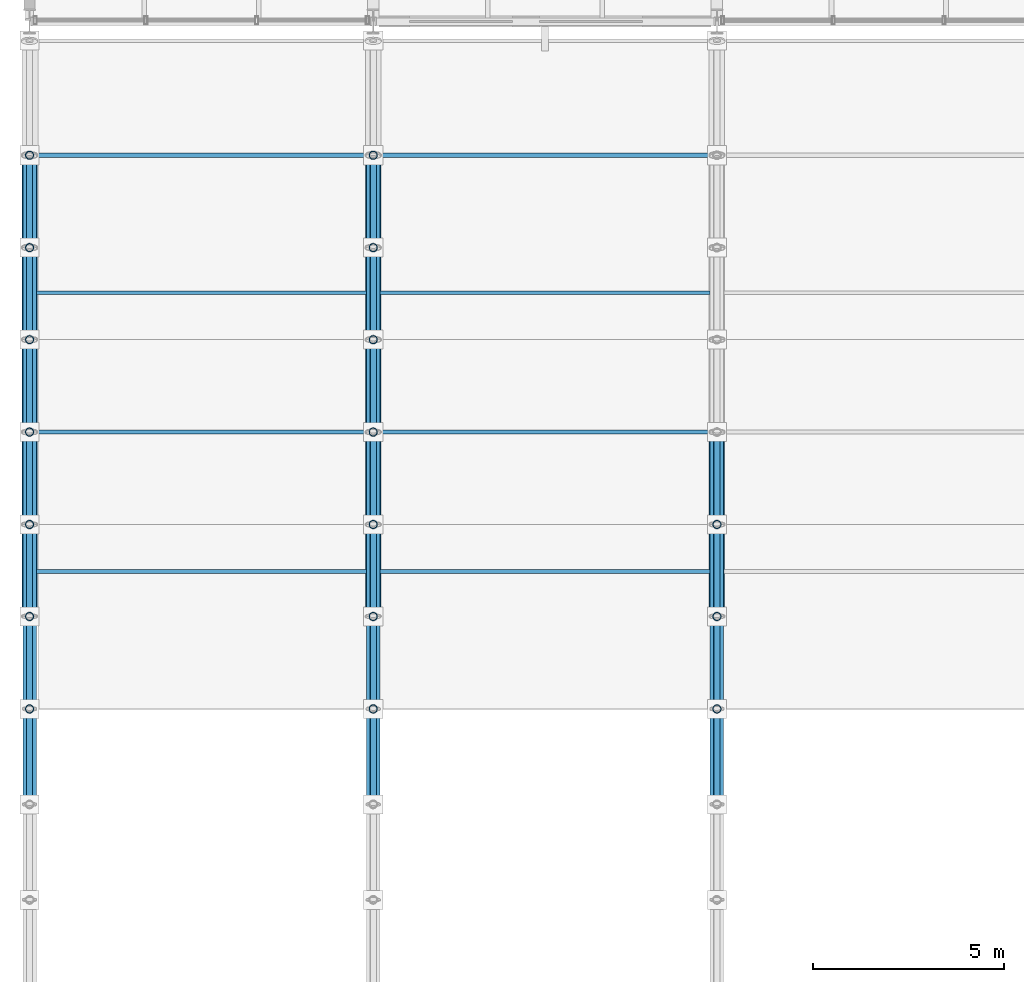
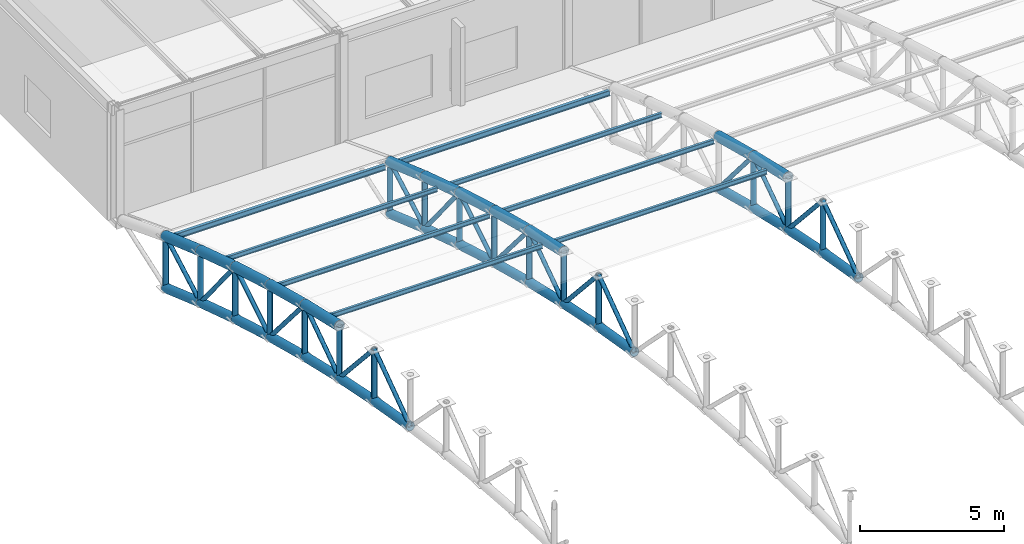
# One storey, part 34 of 195: 73 members.
"""IFC4 building model written with IfcOpenShell, lengths in metres."""

from ifc_helpers import new_model, si_unit, direction, frame, origin, origin_2d, place, context, subcontext, project, spatial, hollow_circle, i_section, extrude, material, material_profile, profile_set, type_object, element, save


model = new_model("IFC4")

# Units and contexts
model_context = context("Model", 3, precision=1e-05, world=origin(), true_north=direction((0.0, 1.0)))
body_context = subcontext(model_context, "Body", "Model", "MODEL_VIEW")
ifc_project = project(units=[si_unit("LENGTHUNIT", "METRE"), si_unit("AREAUNIT", "SQUARE_METRE"), si_unit("VOLUMEUNIT", "CUBIC_METRE"), si_unit("PLANEANGLEUNIT", "RADIAN"), si_unit("MASSUNIT", "GRAM", prefix="KILO")], contexts=[model_context])

# Site, building, storey
site_placement = place(None, origin())
site = spatial("IfcSite", under=ifc_project, at=site_placement, CompositionType="ELEMENT")
building_placement = place(site_placement, origin())
building = spatial("IfcBuilding", under=site, at=building_placement, Name="Marlcrest Central Station", CompositionType="ELEMENT")
storey_placement = place(building_placement, frame((0.0, 0.0, 9.800048828125)))
storey = spatial("IfcBuildingStorey", under=building, at=storey_placement, Name="L02", CompositionType="ELEMENT", Elevation=9.800048828125)

# Members
ifc_material = material(Name="Steel S355", Category="steel")
ifc_material_profile_1 = material_profile(ifc_material, hollow_circle(Radius=0.203125, WallThickness=0.02001953125, at=origin_2d()), Name="CHS 406.4x20")
ifc_profile_set_1 = profile_set([ifc_material_profile_1], Name="Steel S355")
member_type_1 = type_object("IfcMemberType", Name="AC-01", PredefinedType="CHORD", material=ifc_profile_set_1)
member_1_placement = place(storey_placement, frame((0.0, 83.419921875, 5.116943359375), z_axis=(0.0, 0.974329612642, -0.225126200004), x_axis=(-1.0, 0.0, 0.0)))
element("IfcMember", 1, at=member_1_placement, inside=storey, type_object=member_type_1, Name="mem-AC-01-L02-00139", PredefinedType="CHORD", context=body_context, shape_type="SweptSolid", body=[
    extrude(hollow_circle(Radius=0.203125, WallThickness=0.02001953125, at=origin_2d()), origin(), (0.0, 0.0, 1.0), 2.4736328125),
])
member_2_placement = place(storey_placement, frame((0.0, 85.830078125, 4.56005859375), z_axis=(0.0, 0.967539481681, -0.252719906989), x_axis=(-1.0, 0.0, 0.0)))
element("IfcMember", 2, at=member_2_placement, inside=storey, type_object=member_type_1, Name="mem-AC-01-L02-00143", PredefinedType="CHORD", context=body_context, shape_type="SweptSolid", body=[
    extrude(hollow_circle(Radius=0.203125, WallThickness=0.02001953125, at=origin_2d()), origin(), (0.0, 0.0, 1.0), 2.501220703125),
])
member_3_placement = place(storey_placement, frame((0.0, 88.25, 3.927978515625), z_axis=(0.0, 0.960130083362, -0.27955361386), x_axis=(-1.0, 0.0, 0.0)))
element("IfcMember", 3, at=member_3_placement, inside=storey, type_object=member_type_1, Name="mem-AC-01-L02-00147", PredefinedType="CHORD", context=body_context, shape_type="SweptSolid", body=[
    extrude(hollow_circle(Radius=0.203125, WallThickness=0.02001953125, at=origin_2d()), origin(), (0.0, 0.0, 1.0), 2.5205078125),
])
member_4_placement = place(storey_placement, frame((0.0, 90.669921875, 3.223388671875), z_axis=(0.0, 0.952116828449, -0.305734435391), x_axis=(-1.0, 0.0, 0.0)))
element("IfcMember", 4, at=member_4_placement, inside=storey, type_object=member_type_1, Name="mem-AC-01-L02-00151", PredefinedType="CHORD", context=body_context, shape_type="SweptSolid", body=[
    extrude(hollow_circle(Radius=0.203125, WallThickness=0.02001953125, at=origin_2d()), origin(), (0.0, 0.0, 1.0), 2.53125),
])
member_5_placement = place(storey_placement, frame((0.0, 93.080078125, 2.449462890625), z_axis=(0.0, 0.94353735649, -0.331266142109), x_axis=(-1.0, 0.0, 0.0)))
element("IfcMember", 5, at=member_5_placement, inside=storey, type_object=member_type_1, Name="mem-AC-01-L02-00155", PredefinedType="CHORD", context=body_context, shape_type="SweptSolid", body=[
    extrude(hollow_circle(Radius=0.203125, WallThickness=0.02001953125, at=origin_2d()), origin(), (0.0, 0.0, 1.0), 2.564697265625),
])
member_6_placement = place(storey_placement, frame((9.0, 83.419921875, 5.116943359375), z_axis=(0.0, 0.974329612642, -0.225126200004), x_axis=(-1.0, 0.0, 0.0)))
element("IfcMember", 6, at=member_6_placement, inside=storey, type_object=member_type_1, Name="mem-AC-01-L02-00255", PredefinedType="CHORD", context=body_context, shape_type="SweptSolid", body=[
    extrude(hollow_circle(Radius=0.203125, WallThickness=0.02001953125, at=origin_2d()), origin(), (0.0, 0.0, 1.0), 2.4736328125),
])
member_7_placement = place(storey_placement, frame((9.0, 85.830078125, 4.56005859375), z_axis=(0.0, 0.967539481681, -0.252719906989), x_axis=(-1.0, 0.0, 0.0)))
element("IfcMember", 7, at=member_7_placement, inside=storey, type_object=member_type_1, Name="mem-AC-01-L02-00259", PredefinedType="CHORD", context=body_context, shape_type="SweptSolid", body=[
    extrude(hollow_circle(Radius=0.203125, WallThickness=0.02001953125, at=origin_2d()), origin(), (0.0, 0.0, 1.0), 2.501220703125),
])
member_8_placement = place(storey_placement, frame((9.0, 88.25, 3.927978515625), z_axis=(0.0, 0.960130083362, -0.27955361386), x_axis=(-1.0, 0.0, 0.0)))
element("IfcMember", 8, at=member_8_placement, inside=storey, type_object=member_type_1, Name="mem-AC-01-L02-00263", PredefinedType="CHORD", context=body_context, shape_type="SweptSolid", body=[
    extrude(hollow_circle(Radius=0.203125, WallThickness=0.02001953125, at=origin_2d()), origin(), (0.0, 0.0, 1.0), 2.5205078125),
])
member_9_placement = place(storey_placement, frame((9.0, 90.669921875, 3.223388671875), z_axis=(0.0, 0.952116828449, -0.305734435391), x_axis=(-1.0, 0.0, 0.0)))
element("IfcMember", 9, at=member_9_placement, inside=storey, type_object=member_type_1, Name="mem-AC-01-L02-00267", PredefinedType="CHORD", context=body_context, shape_type="SweptSolid", body=[
    extrude(hollow_circle(Radius=0.203125, WallThickness=0.02001953125, at=origin_2d()), origin(), (0.0, 0.0, 1.0), 2.53125),
])
member_10_placement = place(storey_placement, frame((9.0, 93.080078125, 2.449462890625), z_axis=(0.0, 0.94353735649, -0.331266142109), x_axis=(-1.0, 0.0, 0.0)))
element("IfcMember", 10, at=member_10_placement, inside=storey, type_object=member_type_1, Name="mem-AC-01-L02-00271", PredefinedType="CHORD", context=body_context, shape_type="SweptSolid", body=[
    extrude(hollow_circle(Radius=0.203125, WallThickness=0.02001953125, at=origin_2d()), origin(), (0.0, 0.0, 1.0), 2.564697265625),
])
member_11_placement = place(storey_placement, frame((18.0, 83.419921875, 5.116943359375), z_axis=(0.0, 0.974329612642, -0.225126200004), x_axis=(-1.0, 0.0, 0.0)))
element("IfcMember", 11, at=member_11_placement, inside=storey, type_object=member_type_1, Name="mem-AC-01-L02-00371", PredefinedType="CHORD", context=body_context, shape_type="SweptSolid", body=[
    extrude(hollow_circle(Radius=0.203125, WallThickness=0.02001953125, at=origin_2d()), origin(), (0.0, 0.0, 1.0), 2.4736328125),
])
member_12_placement = place(storey_placement, frame((18.0, 85.830078125, 4.56005859375), z_axis=(0.0, 0.967539481681, -0.252719906989), x_axis=(-1.0, 0.0, 0.0)))
element("IfcMember", 12, at=member_12_placement, inside=storey, type_object=member_type_1, Name="mem-AC-01-L02-00375", PredefinedType="CHORD", context=body_context, shape_type="SweptSolid", body=[
    extrude(hollow_circle(Radius=0.203125, WallThickness=0.02001953125, at=origin_2d()), origin(), (0.0, 0.0, 1.0), 2.501220703125),
])
ifc_material_profile_2 = material_profile(ifc_material, hollow_circle(Radius=0.177734375, WallThickness=0.01611328125, at=origin_2d()), Name="CHS 355.6x16")
ifc_profile_set_2 = profile_set([ifc_material_profile_2], Name="Steel S355")
member_type_2 = type_object("IfcMemberType", Name="AC-02", PredefinedType="CHORD", material=ifc_profile_set_2)
member_13_placement = place(storey_placement, frame((0.0, 78.5, 3.83056640625), z_axis=(0.0, 0.98574109921, -0.168269086076), x_axis=(-1.0, 0.0, 0.0)))
element("IfcMember", 13, at=member_13_placement, inside=storey, type_object=member_type_2, Name="mem-AC-02-L02-00132", PredefinedType="CHORD", context=body_context, shape_type="SweptSolid", body=[
    extrude(hollow_circle(Radius=0.177734375, WallThickness=0.01611328125, at=origin_2d()), origin(), (0.0, 0.0, 1.0), 2.5361328125),
])
member_14_placement = place(storey_placement, frame((0.0, 81.0, 3.40380859375), z_axis=(0.0, 0.980359417961, -0.197219196874), x_axis=(-1.0, 0.0, 0.0)))
element("IfcMember", 14, at=member_14_placement, inside=storey, type_object=member_type_2, Name="mem-AC-02-L02-00136", PredefinedType="CHORD", context=body_context, shape_type="SweptSolid", body=[
    extrude(hollow_circle(Radius=0.177734375, WallThickness=0.01611328125, at=origin_2d()), origin(), (0.0, 0.0, 1.0), 2.468505859375),
])
member_15_placement = place(storey_placement, frame((0.0, 83.419921875, 2.9169921875), z_axis=(0.0, 0.974307959875, -0.225219891049), x_axis=(-1.0, 0.0, 0.0)))
element("IfcMember", 15, at=member_15_placement, inside=storey, type_object=member_type_2, Name="mem-AC-02-L02-00140", PredefinedType="CHORD", context=body_context, shape_type="SweptSolid", body=[
    extrude(hollow_circle(Radius=0.177734375, WallThickness=0.01611328125, at=origin_2d()), origin(), (0.0, 0.0, 1.0), 2.4736328125),
])
member_16_placement = place(storey_placement, frame((0.0, 85.830078125, 2.35986328125), z_axis=(0.0, 0.967563345928, -0.252628524946), x_axis=(-1.0, 0.0, 0.0)))
element("IfcMember", 16, at=member_16_placement, inside=storey, type_object=member_type_2, Name="mem-AC-02-L02-00144", PredefinedType="CHORD", context=body_context, shape_type="SweptSolid", body=[
    extrude(hollow_circle(Radius=0.177734375, WallThickness=0.01611328125, at=origin_2d()), origin(), (0.0, 0.0, 1.0), 2.5009765625),
])
member_17_placement = place(storey_placement, frame((0.0, 88.25, 1.72802734375), z_axis=(0.0, 0.960130083362, -0.27955361386), x_axis=(-1.0, 0.0, 0.0)))
element("IfcMember", 17, at=member_17_placement, inside=storey, type_object=member_type_2, Name="mem-AC-02-L02-00148", PredefinedType="CHORD", context=body_context, shape_type="SweptSolid", body=[
    extrude(hollow_circle(Radius=0.177734375, WallThickness=0.01611328125, at=origin_2d()), origin(), (0.0, 0.0, 1.0), 2.5205078125),
])
member_18_placement = place(storey_placement, frame((0.0, 90.669921875, 1.0234375), z_axis=(0.0, 0.952116828449, -0.305734435391), x_axis=(-1.0, 0.0, 0.0)))
element("IfcMember", 18, at=member_18_placement, inside=storey, type_object=member_type_2, Name="mem-AC-02-L02-00152", PredefinedType="CHORD", context=body_context, shape_type="SweptSolid", body=[
    extrude(hollow_circle(Radius=0.177734375, WallThickness=0.01611328125, at=origin_2d()), origin(), (0.0, 0.0, 1.0), 2.53125),
])
member_19_placement = place(storey_placement, frame((0.0, 93.080078125, 0.24951171875), z_axis=(0.0, 0.94353735649, -0.331266142109), x_axis=(-1.0, 0.0, 0.0)))
element("IfcMember", 19, at=member_19_placement, inside=storey, type_object=member_type_2, Name="mem-AC-02-L02-00156", PredefinedType="CHORD", context=body_context, shape_type="SweptSolid", body=[
    extrude(hollow_circle(Radius=0.177734375, WallThickness=0.01611328125, at=origin_2d()), origin(), (0.0, 0.0, 1.0), 2.564697265625),
])
member_20_placement = place(storey_placement, frame((9.0, 78.5, 3.83056640625), z_axis=(0.0, 0.98574109921, -0.168269086076), x_axis=(-1.0, 0.0, 0.0)))
element("IfcMember", 20, at=member_20_placement, inside=storey, type_object=member_type_2, Name="mem-AC-02-L02-00248", PredefinedType="CHORD", context=body_context, shape_type="SweptSolid", body=[
    extrude(hollow_circle(Radius=0.177734375, WallThickness=0.01611328125, at=origin_2d()), origin(), (0.0, 0.0, 1.0), 2.5361328125),
])
member_21_placement = place(storey_placement, frame((9.0, 81.0, 3.40380859375), z_axis=(0.0, 0.980359417961, -0.197219196874), x_axis=(-1.0, 0.0, 0.0)))
element("IfcMember", 21, at=member_21_placement, inside=storey, type_object=member_type_2, Name="mem-AC-02-L02-00252", PredefinedType="CHORD", context=body_context, shape_type="SweptSolid", body=[
    extrude(hollow_circle(Radius=0.177734375, WallThickness=0.01611328125, at=origin_2d()), origin(), (0.0, 0.0, 1.0), 2.468505859375),
])
member_22_placement = place(storey_placement, frame((9.0, 83.419921875, 2.9169921875), z_axis=(0.0, 0.974307959875, -0.225219891049), x_axis=(-1.0, 0.0, 0.0)))
element("IfcMember", 22, at=member_22_placement, inside=storey, type_object=member_type_2, Name="mem-AC-02-L02-00256", PredefinedType="CHORD", context=body_context, shape_type="SweptSolid", body=[
    extrude(hollow_circle(Radius=0.177734375, WallThickness=0.01611328125, at=origin_2d()), origin(), (0.0, 0.0, 1.0), 2.4736328125),
])
member_23_placement = place(storey_placement, frame((9.0, 85.830078125, 2.35986328125), z_axis=(0.0, 0.967563345928, -0.252628524946), x_axis=(-1.0, 0.0, 0.0)))
element("IfcMember", 23, at=member_23_placement, inside=storey, type_object=member_type_2, Name="mem-AC-02-L02-00260", PredefinedType="CHORD", context=body_context, shape_type="SweptSolid", body=[
    extrude(hollow_circle(Radius=0.177734375, WallThickness=0.01611328125, at=origin_2d()), origin(), (0.0, 0.0, 1.0), 2.5009765625),
])
member_24_placement = place(storey_placement, frame((9.0, 88.25, 1.72802734375), z_axis=(0.0, 0.960130083362, -0.27955361386), x_axis=(-1.0, 0.0, 0.0)))
element("IfcMember", 24, at=member_24_placement, inside=storey, type_object=member_type_2, Name="mem-AC-02-L02-00264", PredefinedType="CHORD", context=body_context, shape_type="SweptSolid", body=[
    extrude(hollow_circle(Radius=0.177734375, WallThickness=0.01611328125, at=origin_2d()), origin(), (0.0, 0.0, 1.0), 2.5205078125),
])
member_25_placement = place(storey_placement, frame((9.0, 90.669921875, 1.0234375), z_axis=(0.0, 0.952116828449, -0.305734435391), x_axis=(-1.0, 0.0, 0.0)))
element("IfcMember", 25, at=member_25_placement, inside=storey, type_object=member_type_2, Name="mem-AC-02-L02-00268", PredefinedType="CHORD", context=body_context, shape_type="SweptSolid", body=[
    extrude(hollow_circle(Radius=0.177734375, WallThickness=0.01611328125, at=origin_2d()), origin(), (0.0, 0.0, 1.0), 2.53125),
])
member_26_placement = place(storey_placement, frame((9.0, 93.080078125, 0.24951171875), z_axis=(0.0, 0.94353735649, -0.331266142109), x_axis=(-1.0, 0.0, 0.0)))
element("IfcMember", 26, at=member_26_placement, inside=storey, type_object=member_type_2, Name="mem-AC-02-L02-00272", PredefinedType="CHORD", context=body_context, shape_type="SweptSolid", body=[
    extrude(hollow_circle(Radius=0.177734375, WallThickness=0.01611328125, at=origin_2d()), origin(), (0.0, 0.0, 1.0), 2.564697265625),
])
member_27_placement = place(storey_placement, frame((18.0, 78.5, 3.83056640625), z_axis=(0.0, 0.98574109921, -0.168269086076), x_axis=(-1.0, 0.0, 0.0)))
element("IfcMember", 27, at=member_27_placement, inside=storey, type_object=member_type_2, Name="mem-AC-02-L02-00364", PredefinedType="CHORD", context=body_context, shape_type="SweptSolid", body=[
    extrude(hollow_circle(Radius=0.177734375, WallThickness=0.01611328125, at=origin_2d()), origin(), (0.0, 0.0, 1.0), 2.5361328125),
])
member_28_placement = place(storey_placement, frame((18.0, 81.0, 3.40380859375), z_axis=(0.0, 0.980359417961, -0.197219196874), x_axis=(-1.0, 0.0, 0.0)))
element("IfcMember", 28, at=member_28_placement, inside=storey, type_object=member_type_2, Name="mem-AC-02-L02-00368", PredefinedType="CHORD", context=body_context, shape_type="SweptSolid", body=[
    extrude(hollow_circle(Radius=0.177734375, WallThickness=0.01611328125, at=origin_2d()), origin(), (0.0, 0.0, 1.0), 2.468505859375),
])
member_29_placement = place(storey_placement, frame((18.0, 83.419921875, 2.9169921875), z_axis=(0.0, 0.974307959875, -0.225219891049), x_axis=(-1.0, 0.0, 0.0)))
element("IfcMember", 29, at=member_29_placement, inside=storey, type_object=member_type_2, Name="mem-AC-02-L02-00372", PredefinedType="CHORD", context=body_context, shape_type="SweptSolid", body=[
    extrude(hollow_circle(Radius=0.177734375, WallThickness=0.01611328125, at=origin_2d()), origin(), (0.0, 0.0, 1.0), 2.4736328125),
])
member_30_placement = place(storey_placement, frame((18.0, 85.830078125, 2.35986328125), z_axis=(0.0, 0.967563345928, -0.252628524946), x_axis=(-1.0, 0.0, 0.0)))
element("IfcMember", 30, at=member_30_placement, inside=storey, type_object=member_type_2, Name="mem-AC-02-L02-00376", PredefinedType="CHORD", context=body_context, shape_type="SweptSolid", body=[
    extrude(hollow_circle(Radius=0.177734375, WallThickness=0.01611328125, at=origin_2d()), origin(), (0.0, 0.0, 1.0), 2.5009765625),
])
ifc_material_profile_3 = material_profile(ifc_material, hollow_circle(Radius=0.084228515625, WallThickness=0.010009765625, at=origin_2d()), Name="CHS 168.3x10")
ifc_profile_set_3 = profile_set([ifc_material_profile_3], Name="Steel S355")
member_type_3 = type_object("IfcMemberType", Name="AD-01", PredefinedType="BRACE", material=ifc_profile_set_3)
member_31_placement = place(storey_placement, frame((0.0, 78.5, 3.83056640625), z_axis=(0.0, 0.815661132754, 0.57852996164), x_axis=(-1.0, 0.0, 0.0)))
element("IfcMember", 31, at=member_31_placement, inside=storey, type_object=member_type_3, Name="mem-AD-01-L02-00134", PredefinedType="BRACE", context=body_context, shape_type="SweptSolid", body=[
    extrude(hollow_circle(Radius=0.084228515625, WallThickness=0.010009765625, at=origin_2d()), origin(), (0.0, 0.0, 1.0), 3.06494140625),
])
member_32_placement = place(storey_placement, frame((0.0, 81.0, 5.603759765625), z_axis=(0.0, 0.669244457479, -0.743042297675), x_axis=(-1.0, 0.0, 0.0)))
element("IfcMember", 32, at=member_32_placement, inside=storey, type_object=member_type_3, Name="mem-AD-01-L02-00138", PredefinedType="BRACE", context=body_context, shape_type="SweptSolid", body=[
    extrude(hollow_circle(Radius=0.084228515625, WallThickness=0.010009765625, at=origin_2d()), origin(), (0.0, 0.0, 1.0), 3.615966796875),
])
member_33_placement = place(storey_placement, frame((0.0, 83.419921875, 2.9169921875), z_axis=(0.0, 0.82626275624, 0.563284881432), x_axis=(-1.0, 0.0, 0.0)))
element("IfcMember", 33, at=member_33_placement, inside=storey, type_object=member_type_3, Name="mem-AD-01-L02-00142", PredefinedType="BRACE", context=body_context, shape_type="SweptSolid", body=[
    extrude(hollow_circle(Radius=0.084228515625, WallThickness=0.010009765625, at=origin_2d()), origin(), (0.0, 0.0, 1.0), 2.9169921875),
])
member_34_placement = place(storey_placement, frame((0.0, 85.830078125, 4.56005859375), z_axis=(0.0, 0.649624779144, -0.760254987699), x_axis=(-1.0, 0.0, 0.0)))
element("IfcMember", 34, at=member_34_placement, inside=storey, type_object=member_type_3, Name="mem-AD-01-L02-00146", PredefinedType="BRACE", context=body_context, shape_type="SweptSolid", body=[
    extrude(hollow_circle(Radius=0.084228515625, WallThickness=0.010009765625, at=origin_2d()), origin(), (0.0, 0.0, 1.0), 3.72509765625),
])
member_35_placement = place(storey_placement, frame((0.0, 88.25, 1.72802734375), z_axis=(0.0, 0.850687380038, 0.525671933286), x_axis=(-1.0, 0.0, 0.0)))
element("IfcMember", 35, at=member_35_placement, inside=storey, type_object=member_type_3, Name="mem-AD-01-L02-00150", PredefinedType="BRACE", context=body_context, shape_type="SweptSolid", body=[
    extrude(hollow_circle(Radius=0.084228515625, WallThickness=0.010009765625, at=origin_2d()), origin(), (0.0, 0.0, 1.0), 2.8447265625),
])
member_36_placement = place(storey_placement, frame((0.0, 90.669921875, 3.223388671875), z_axis=(0.0, 0.62962929743, -0.776895712318), x_axis=(-1.0, 0.0, 0.0)))
element("IfcMember", 36, at=member_36_placement, inside=storey, type_object=member_type_3, Name="mem-AD-01-L02-00154", PredefinedType="BRACE", context=body_context, shape_type="SweptSolid", body=[
    extrude(hollow_circle(Radius=0.084228515625, WallThickness=0.010009765625, at=origin_2d()), origin(), (0.0, 0.0, 1.0), 3.827880859375),
])
member_37_placement = place(storey_placement, frame((0.0, 93.080078125, 0.24951171875), z_axis=(0.0, 0.873245653167, 0.487280236851), x_axis=(-1.0, 0.0, 0.0)))
element("IfcMember", 37, at=member_37_placement, inside=storey, type_object=member_type_3, Name="mem-AD-01-L02-00158", PredefinedType="BRACE", context=body_context, shape_type="SweptSolid", body=[
    extrude(hollow_circle(Radius=0.084228515625, WallThickness=0.010009765625, at=origin_2d()), origin(), (0.0, 0.0, 1.0), 2.771240234375),
])
member_38_placement = place(storey_placement, frame((9.0, 78.5, 3.83056640625), z_axis=(0.0, 0.815661132754, 0.57852996164), x_axis=(-1.0, 0.0, 0.0)))
element("IfcMember", 38, at=member_38_placement, inside=storey, type_object=member_type_3, Name="mem-AD-01-L02-00250", PredefinedType="BRACE", context=body_context, shape_type="SweptSolid", body=[
    extrude(hollow_circle(Radius=0.084228515625, WallThickness=0.010009765625, at=origin_2d()), origin(), (0.0, 0.0, 1.0), 3.06494140625),
])
member_39_placement = place(storey_placement, frame((9.0, 81.0, 5.603759765625), z_axis=(0.0, 0.669244457479, -0.743042297675), x_axis=(-1.0, 0.0, 0.0)))
element("IfcMember", 39, at=member_39_placement, inside=storey, type_object=member_type_3, Name="mem-AD-01-L02-00254", PredefinedType="BRACE", context=body_context, shape_type="SweptSolid", body=[
    extrude(hollow_circle(Radius=0.084228515625, WallThickness=0.010009765625, at=origin_2d()), origin(), (0.0, 0.0, 1.0), 3.615966796875),
])
member_40_placement = place(storey_placement, frame((9.0, 83.419921875, 2.9169921875), z_axis=(0.0, 0.82626275624, 0.563284881432), x_axis=(-1.0, 0.0, 0.0)))
element("IfcMember", 40, at=member_40_placement, inside=storey, type_object=member_type_3, Name="mem-AD-01-L02-00258", PredefinedType="BRACE", context=body_context, shape_type="SweptSolid", body=[
    extrude(hollow_circle(Radius=0.084228515625, WallThickness=0.010009765625, at=origin_2d()), origin(), (0.0, 0.0, 1.0), 2.9169921875),
])
member_41_placement = place(storey_placement, frame((9.0, 85.830078125, 4.56005859375), z_axis=(0.0, 0.649624779144, -0.760254987699), x_axis=(-1.0, 0.0, 0.0)))
element("IfcMember", 41, at=member_41_placement, inside=storey, type_object=member_type_3, Name="mem-AD-01-L02-00262", PredefinedType="BRACE", context=body_context, shape_type="SweptSolid", body=[
    extrude(hollow_circle(Radius=0.084228515625, WallThickness=0.010009765625, at=origin_2d()), origin(), (0.0, 0.0, 1.0), 3.72509765625),
])
member_42_placement = place(storey_placement, frame((9.0, 88.25, 1.72802734375), z_axis=(0.0, 0.850687380038, 0.525671933286), x_axis=(-1.0, 0.0, 0.0)))
element("IfcMember", 42, at=member_42_placement, inside=storey, type_object=member_type_3, Name="mem-AD-01-L02-00266", PredefinedType="BRACE", context=body_context, shape_type="SweptSolid", body=[
    extrude(hollow_circle(Radius=0.084228515625, WallThickness=0.010009765625, at=origin_2d()), origin(), (0.0, 0.0, 1.0), 2.8447265625),
])
member_43_placement = place(storey_placement, frame((9.0, 90.669921875, 3.223388671875), z_axis=(0.0, 0.62962929743, -0.776895712318), x_axis=(-1.0, 0.0, 0.0)))
element("IfcMember", 43, at=member_43_placement, inside=storey, type_object=member_type_3, Name="mem-AD-01-L02-00270", PredefinedType="BRACE", context=body_context, shape_type="SweptSolid", body=[
    extrude(hollow_circle(Radius=0.084228515625, WallThickness=0.010009765625, at=origin_2d()), origin(), (0.0, 0.0, 1.0), 3.827880859375),
])
member_44_placement = place(storey_placement, frame((9.0, 93.080078125, 0.24951171875), z_axis=(0.0, 0.873245653167, 0.487280236851), x_axis=(-1.0, 0.0, 0.0)))
element("IfcMember", 44, at=member_44_placement, inside=storey, type_object=member_type_3, Name="mem-AD-01-L02-00274", PredefinedType="BRACE", context=body_context, shape_type="SweptSolid", body=[
    extrude(hollow_circle(Radius=0.084228515625, WallThickness=0.010009765625, at=origin_2d()), origin(), (0.0, 0.0, 1.0), 2.771240234375),
])
member_45_placement = place(storey_placement, frame((18.0, 78.5, 3.83056640625), z_axis=(0.0, 0.815661132754, 0.57852996164), x_axis=(-1.0, 0.0, 0.0)))
element("IfcMember", 45, at=member_45_placement, inside=storey, type_object=member_type_3, Name="mem-AD-01-L02-00366", PredefinedType="BRACE", context=body_context, shape_type="SweptSolid", body=[
    extrude(hollow_circle(Radius=0.084228515625, WallThickness=0.010009765625, at=origin_2d()), origin(), (0.0, 0.0, 1.0), 3.06494140625),
])
member_46_placement = place(storey_placement, frame((18.0, 81.0, 5.603759765625), z_axis=(0.0, 0.669244457479, -0.743042297675), x_axis=(-1.0, 0.0, 0.0)))
element("IfcMember", 46, at=member_46_placement, inside=storey, type_object=member_type_3, Name="mem-AD-01-L02-00370", PredefinedType="BRACE", context=body_context, shape_type="SweptSolid", body=[
    extrude(hollow_circle(Radius=0.084228515625, WallThickness=0.010009765625, at=origin_2d()), origin(), (0.0, 0.0, 1.0), 3.615966796875),
])
member_47_placement = place(storey_placement, frame((18.0, 83.419921875, 2.9169921875), z_axis=(0.0, 0.82626275624, 0.563284881432), x_axis=(-1.0, 0.0, 0.0)))
element("IfcMember", 47, at=member_47_placement, inside=storey, type_object=member_type_3, Name="mem-AD-01-L02-00374", PredefinedType="BRACE", context=body_context, shape_type="SweptSolid", body=[
    extrude(hollow_circle(Radius=0.084228515625, WallThickness=0.010009765625, at=origin_2d()), origin(), (0.0, 0.0, 1.0), 2.9169921875),
])
member_48_placement = place(storey_placement, frame((18.0, 85.830078125, 4.56005859375), z_axis=(0.0, 0.649624779144, -0.760254987699), x_axis=(-1.0, 0.0, 0.0)))
element("IfcMember", 48, at=member_48_placement, inside=storey, type_object=member_type_3, Name="mem-AD-01-L02-00378", PredefinedType="BRACE", context=body_context, shape_type="SweptSolid", body=[
    extrude(hollow_circle(Radius=0.084228515625, WallThickness=0.010009765625, at=origin_2d()), origin(), (0.0, 0.0, 1.0), 3.72509765625),
])
ifc_material_profile_4 = material_profile(ifc_material, hollow_circle(Radius=0.109619140625, WallThickness=0.012451171875, at=origin_2d()), Name="CHS 219.1x12.5")
ifc_profile_set_4 = profile_set([ifc_material_profile_4], Name="Steel S355")
member_type_4 = type_object("IfcMemberType", Name="AP-01", PredefinedType="POST", material=ifc_profile_set_4)
for number, where, z_axis, x_axis, name in (
    (49, (0.0, 81.0, 3.40380859375), (0.0, 0.0, 1.0), (1.0, 0.0, 0.0), "mem-AP-01-L02-00137"),
    (50, (0.0, 83.419921875, 2.9169921875), (0.0, 0.0, 1.0), (1.0, 0.0, 0.0), "mem-AP-01-L02-00141"),
):
    element("IfcMember", number, at=place(storey_placement, frame(where, z_axis=z_axis, x_axis=x_axis)), inside=storey, type_object=member_type_4, Name=name, PredefinedType="POST", context=body_context, shape_type="SweptSolid", body=[
        extrude(hollow_circle(Radius=0.109619140625, WallThickness=0.012451171875, at=origin_2d()), origin(), (0.0, 0.0, 1.0), 2.199951171875),
    ])
member_49_placement = place(storey_placement, frame((0.0, 85.830078125, 2.35986328125), z_axis=(0.0, 0.0, 1.0), x_axis=(1.0, 0.0, 0.0)))
element("IfcMember", 51, at=member_49_placement, inside=storey, type_object=member_type_4, Name="mem-AP-01-L02-00145", PredefinedType="POST", context=body_context, shape_type="SweptSolid", body=[
    extrude(hollow_circle(Radius=0.109619140625, WallThickness=0.012451171875, at=origin_2d()), origin(), (0.0, 0.0, 1.0), 2.2001953125),
])
for number, where, z_axis, x_axis, name in (
    (52, (0.0, 88.25, 1.72802734375), (0.0, 0.0, 1.0), (1.0, 0.0, 0.0), "mem-AP-01-L02-00149"),
    (53, (0.0, 90.669921875, 1.0234375), (0.0, 0.0, 1.0), (1.0, 0.0, 0.0), "mem-AP-01-L02-00153"),
    (54, (0.0, 93.080078125, 0.24951171875), (0.0, 0.0, 1.0), (1.0, 0.0, 0.0), "mem-AP-01-L02-00157"),
    (55, (0.0, 95.5, -0.60009765625), (0.0, 0.0, 1.0), (1.0, 0.0, 0.0), "mem-AP-01-L02-00160"),
    (56, (9.0, 81.0, 3.40380859375), (0.0, 0.0, 1.0), (1.0, 0.0, 0.0), "mem-AP-01-L02-00253"),
    (57, (9.0, 83.419921875, 2.9169921875), (0.0, 0.0, 1.0), (1.0, 0.0, 0.0), "mem-AP-01-L02-00257"),
):
    element("IfcMember", number, at=place(storey_placement, frame(where, z_axis=z_axis, x_axis=x_axis)), inside=storey, type_object=member_type_4, Name=name, PredefinedType="POST", context=body_context, shape_type="SweptSolid", body=[
        extrude(hollow_circle(Radius=0.109619140625, WallThickness=0.012451171875, at=origin_2d()), origin(), (0.0, 0.0, 1.0), 2.199951171875),
    ])
member_50_placement = place(storey_placement, frame((9.0, 85.830078125, 2.35986328125), z_axis=(0.0, 0.0, 1.0), x_axis=(1.0, 0.0, 0.0)))
element("IfcMember", 58, at=member_50_placement, inside=storey, type_object=member_type_4, Name="mem-AP-01-L02-00261", PredefinedType="POST", context=body_context, shape_type="SweptSolid", body=[
    extrude(hollow_circle(Radius=0.109619140625, WallThickness=0.012451171875, at=origin_2d()), origin(), (0.0, 0.0, 1.0), 2.2001953125),
])
for number, where, z_axis, x_axis, name in (
    (59, (9.0, 88.25, 1.72802734375), (0.0, 0.0, 1.0), (1.0, 0.0, 0.0), "mem-AP-01-L02-00265"),
    (60, (9.0, 90.669921875, 1.0234375), (0.0, 0.0, 1.0), (1.0, 0.0, 0.0), "mem-AP-01-L02-00269"),
    (61, (9.0, 93.080078125, 0.24951171875), (0.0, 0.0, 1.0), (1.0, 0.0, 0.0), "mem-AP-01-L02-00273"),
    (62, (9.0, 95.5, -0.60009765625), (0.0, 0.0, 1.0), (1.0, 0.0, 0.0), "mem-AP-01-L02-00276"),
    (63, (18.0, 81.0, 3.40380859375), (0.0, 0.0, 1.0), (1.0, 0.0, 0.0), "mem-AP-01-L02-00369"),
    (64, (18.0, 83.419921875, 2.9169921875), (0.0, 0.0, 1.0), (1.0, 0.0, 0.0), "mem-AP-01-L02-00373"),
):
    element("IfcMember", number, at=place(storey_placement, frame(where, z_axis=z_axis, x_axis=x_axis)), inside=storey, type_object=member_type_4, Name=name, PredefinedType="POST", context=body_context, shape_type="SweptSolid", body=[
        extrude(hollow_circle(Radius=0.109619140625, WallThickness=0.012451171875, at=origin_2d()), origin(), (0.0, 0.0, 1.0), 2.199951171875),
    ])
member_51_placement = place(storey_placement, frame((18.0, 85.830078125, 2.35986328125), z_axis=(0.0, 0.0, 1.0), x_axis=(1.0, 0.0, 0.0)))
element("IfcMember", 65, at=member_51_placement, inside=storey, type_object=member_type_4, Name="mem-AP-01-L02-00377", PredefinedType="POST", context=body_context, shape_type="SweptSolid", body=[
    extrude(hollow_circle(Radius=0.109619140625, WallThickness=0.012451171875, at=origin_2d()), origin(), (0.0, 0.0, 1.0), 2.2001953125),
])
ifc_material_profile_5 = material_profile(ifc_material, i_section(OverallWidth=0.10009765625, OverallDepth=0.199951171875, WebThickness=0.005615234375, FlangeThickness=0.008544921875, FilletRadius=0.011962890625, at=origin_2d()), Name="IPE 200")
ifc_profile_set_5 = profile_set([ifc_material_profile_5], Name="Steel S355")
member_type_5 = type_object("IfcMemberType", Name="PR-01", PredefinedType="PURLIN", material=ifc_profile_set_5)
for number, where, z_axis, x_axis, name in (
    (66, (0.179931640625, 84.60009765625, 4.713134765625), (1.0, 0.0, 0.0), (0.0, 1.0, 0.0), "mem-PR-01-L02-00172"),
    (67, (0.179931640625, 88.25, 3.7880859375), (1.0, 0.0, 0.0), (0.0, 1.0, 0.0), "mem-PR-01-L02-00173"),
    (68, (0.179931640625, 91.89990234375, 2.697509765625), (1.0, 0.0, 0.0), (0.0, 1.0, 0.0), "mem-PR-01-L02-00174"),
    (69, (9.179931640625, 84.60009765625, 4.713134765625), (1.0, 0.0, 0.0), (0.0, 1.0, 0.0), "mem-PR-01-L02-00288"),
    (70, (9.179931640625, 88.25, 3.7880859375), (1.0, 0.0, 0.0), (0.0, 1.0, 0.0), "mem-PR-01-L02-00289"),
    (71, (9.179931640625, 91.89990234375, 2.697509765625), (1.0, 0.0, 0.0), (0.0, 1.0, 0.0), "mem-PR-01-L02-00290"),
):
    element("IfcMember", number, at=place(storey_placement, frame(where, z_axis=z_axis, x_axis=x_axis)), inside=storey, type_object=member_type_5, Name=name, PredefinedType="PURLIN", context=body_context, shape_type="SweptSolid", body=[
        extrude(i_section(OverallWidth=0.10009765625, OverallDepth=0.199951171875, WebThickness=0.005615234375, FlangeThickness=0.008544921875, FilletRadius=0.011962890625, at=origin_2d()), origin(), (0.0, 0.0, 1.0), 8.64013671875),
    ])
ifc_material_profile_6 = material_profile(ifc_material, i_section(OverallWidth=0.1201171875, OverallDepth=0.239990234375, WebThickness=0.006103515625, FlangeThickness=0.009765625, FilletRadius=0.014892578125, at=origin_2d()), Name="IPE 240")
ifc_profile_set_6 = profile_set([ifc_material_profile_6], Name="Steel S355")
member_type_6 = type_object("IfcMemberType", Name="PR-02", PredefinedType="PURLIN", material=ifc_profile_set_6)
for number, where, z_axis, x_axis, name in (
    (72, (0.179931640625, 95.5, 1.4599609375), (1.0, 0.0, 0.0), (0.0, 1.0, 0.0), "mem-PR-02-L02-00175"),
    (73, (9.179931640625, 95.5, 1.4599609375), (1.0, 0.0, 0.0), (0.0, 1.0, 0.0), "mem-PR-02-L02-00291"),
):
    element("IfcMember", number, at=place(storey_placement, frame(where, z_axis=z_axis, x_axis=x_axis)), inside=storey, type_object=member_type_6, Name=name, PredefinedType="PURLIN", context=body_context, shape_type="SweptSolid", body=[
        extrude(i_section(OverallWidth=0.1201171875, OverallDepth=0.239990234375, WebThickness=0.006103515625, FlangeThickness=0.009765625, FilletRadius=0.014892578125, at=origin_2d()), origin(), (0.0, 0.0, 1.0), 8.64013671875),
    ])

save(model, "model.ifc")
